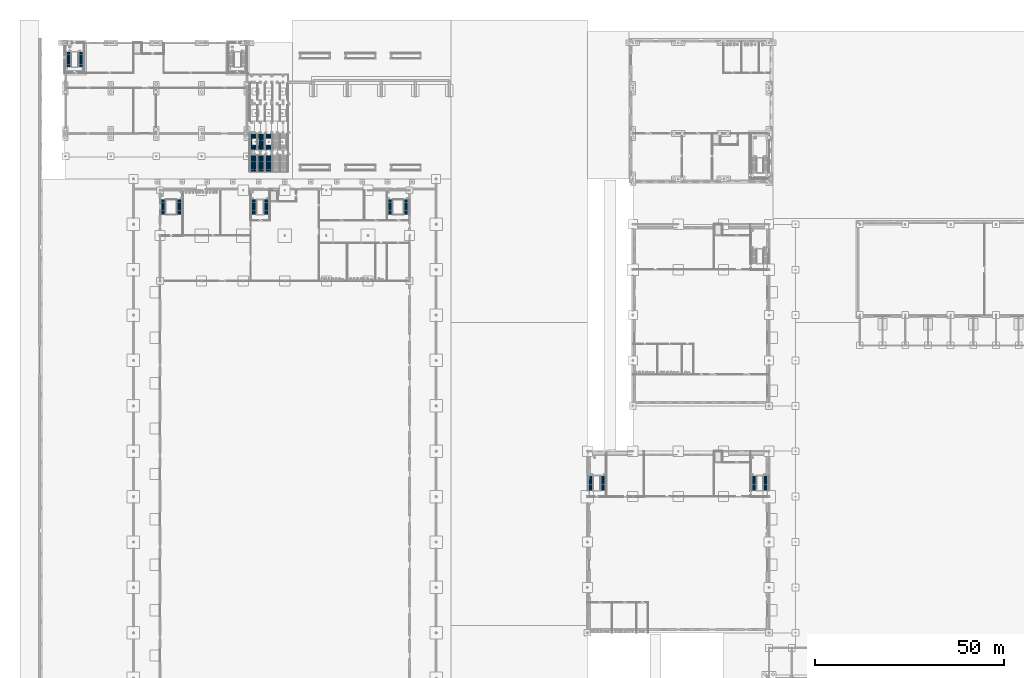
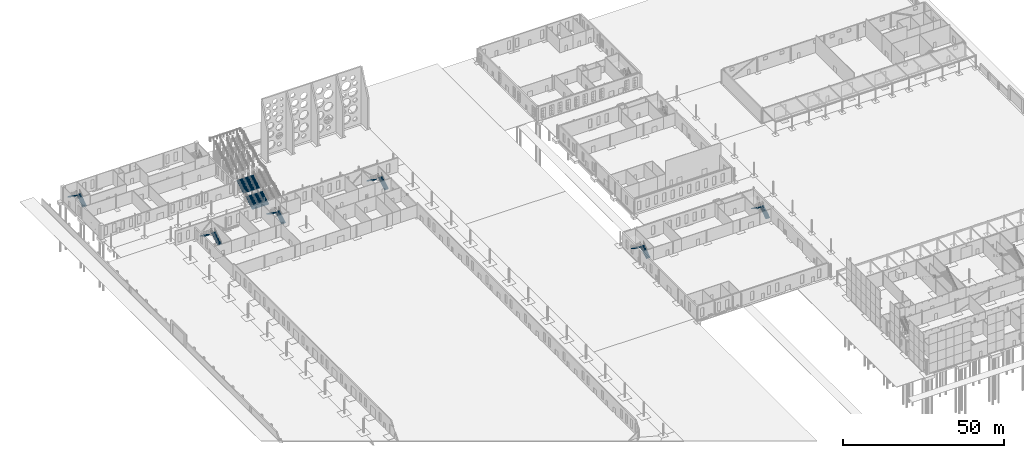
# One storey, part 95 of 132: 20 stair flights, 10 elements without a shape of their own.
"""IFC4 building model written with IfcOpenShell, lengths in metres."""

import ifcopenshell
import ifcopenshell.guid

model = None  # the IFC model being written
_history = None  # IfcOwnerHistory: only IFC2X3 demands one
_inside = {}  # id of a spatial element -> (the spatial element, [elements in it])
_under = {}  # id of a project, library or spatial element -> (it, [spatial elements below it])
_declared = {}  # id of a project -> (the project, [libraries it declares])
_typed = {}  # id of a type object -> (the type object, [elements of that type])
_made_of = {}  # id of a material, layer set ... -> (it, [elements and type objects made of it])


def new_model(schema):
    """Start an empty IFC model of exactly this schema.

    Asked for "IFC4X3", IfcOpenShell would pick the latest addendum, in which some entities
    have other attributes; the version numbers below select the first issue.
    IFC2X3 requires an IfcOwnerHistory on every rooted entity: one is made here for all.
    """
    global model, _history
    if schema == "IFC4X3":
        model = ifcopenshell.file(schema_version=(4, 3, 0, 0))
    else:
        model = ifcopenshell.file(schema=schema)
    _inside.clear()
    _under.clear()
    _declared.clear()
    _typed.clear()
    _made_of.clear()
    _history = None
    if model.schema == "IFC2X3":
        org = make("IfcOrganization", Name="unknown")
        user = make(
            "IfcPersonAndOrganization",
            ThePerson=make("IfcPerson", FamilyName="unknown"),
            TheOrganization=org,
        )
        app = make(
            "IfcApplication",
            ApplicationDeveloper=org,
            Version="unknown",
            ApplicationFullName="unknown",
            ApplicationIdentifier="unknown",
        )
        _history = make(
            "IfcOwnerHistory",
            OwningUser=user,
            OwningApplication=app,
            ChangeAction="ADDED",
            CreationDate=0,
        )
    return model


def make(cls, **values):
    """One entity of the class cls with the attributes given. An attribute that is None is left unset."""
    return model.create_entity(
        cls, **{name: value for name, value in values.items() if value is not None}
    )


def rooted(cls, **values):
    """An entity with a GlobalId (a new one), such as an element, a storey or a relation."""
    return make(cls, GlobalId=ifcopenshell.guid.new(), OwnerHistory=_history, **values)


def si_unit(unit_type, name, prefix=None):
    """IfcSIUnit, for example si_unit("LENGTHUNIT", "METRE", prefix="MILLI")."""
    return make("IfcSIUnit", UnitType=unit_type, Prefix=prefix, Name=name)


def assignment(units):
    """IfcUnitAssignment: the units of a project."""
    return None if units is None else make("IfcUnitAssignment", Units=units)


def point(xyz):
    """IfcCartesianPoint."""
    return None if xyz is None else make("IfcCartesianPoint", Coordinates=xyz)


def direction(xyz):
    """IfcDirection."""
    return None if xyz is None else make("IfcDirection", DirectionRatios=xyz)


def frame(location, z_axis=None, x_axis=None):
    """IfcAxis2Placement3D, a coordinate frame: its origin and axes. An axis left out is left unset."""
    return make(
        "IfcAxis2Placement3D",
        Location=point(location),
        Axis=direction(z_axis),
        RefDirection=direction(x_axis),
    )


def origin():
    """The frame at (0, 0, 0) with its axes left unset."""
    return frame((0.0, 0.0, 0.0))


def place(relative_to, where):
    """IfcLocalPlacement: puts the frame where relative to a parent placement (None: the world)."""
    return make(
        "IfcLocalPlacement", PlacementRelTo=relative_to, RelativePlacement=where
    )


def context(
    kind, dimensions, precision=None, world=None, true_north=None, identifier=None
):
    """IfcGeometricRepresentationContext, for example the 3D "Model" context."""
    return make(
        "IfcGeometricRepresentationContext",
        ContextIdentifier=identifier,
        ContextType=kind,
        CoordinateSpaceDimension=dimensions,
        Precision=precision,
        WorldCoordinateSystem=world,
        TrueNorth=true_north,
    )


def subcontext(parent, identifier, kind, view, scale=None):
    """IfcGeometricRepresentationSubContext, for example "Body" below "Model"."""
    return make(
        "IfcGeometricRepresentationSubContext",
        ContextIdentifier=identifier,
        ContextType=kind,
        ParentContext=parent,
        TargetScale=scale,
        TargetView=view,
    )


def project(units=None, contexts=None):
    """IfcProject with its units and contexts."""
    return rooted(
        "IfcProject",
        Name="project",
        RepresentationContexts=contexts,
        UnitsInContext=assignment(units),
    )


def spatial(cls, under=None, at=None, **own):
    """A site, building, storey or space (cls), placed at a placement, below another one or the project."""
    s = rooted(cls, ObjectPlacement=at, **own)
    if under is not None:
        _under.setdefault(under.id(), (under, []))[1].append(s)
    return s


def polyline(points):
    """IfcPolyline through the points."""
    return make("IfcPolyline", Points=[point(p) for p in points])


def outline(outer, holes=None, kind="AREA"):
    """IfcArbitraryClosedProfileDef: a profile drawn as a closed curve; with holes, ...WithVoids."""
    if holes is None:
        return make("IfcArbitraryClosedProfileDef", ProfileType=kind, OuterCurve=outer)
    return make(
        "IfcArbitraryProfileDefWithVoids",
        ProfileType=kind,
        OuterCurve=outer,
        InnerCurves=holes,
    )


def extrude(swept, where, along, depth):
    """IfcExtrudedAreaSolid: the profile swept, set in the frame where, extruded along a direction by depth."""
    return make(
        "IfcExtrudedAreaSolid",
        SweptArea=swept,
        Position=where,
        ExtrudedDirection=direction(along),
        Depth=depth,
    )


def shape(context_of_items, identifier, shape_type, items):
    """IfcShapeRepresentation: the items that make up one representation, for example the "Body"."""
    return make(
        "IfcShapeRepresentation",
        ContextOfItems=context_of_items,
        RepresentationIdentifier=identifier,
        RepresentationType=shape_type,
        Items=items,
    )


def material(Name=None, Category=None):
    """IfcMaterial."""
    return make("IfcMaterial", Name=Name, Category=Category)


def made_of(thing, what):
    """Note that an element or type object is made of a material, layer set ...; save() writes the relation."""
    if what is not None:
        _made_of.setdefault(what.id(), (what, []))[1].append(thing)
    return thing


def type_object(cls, material=None, **own):
    """A type object (cls), such as IfcWallType, which elements share."""
    return made_of(rooted(cls, **own), material)


def element(
    cls,
    number,
    at=None,
    inside=None,
    cuts=None,
    type_object=None,
    material=None,
    context=None,
    identifier="Body",
    shape_type=None,
    held_by="IfcProductDefinitionShape",
    body=None,
    shapes=None,
    **own,
):
    """One element of the class cls, such as IfcWall. Its Tag is "e" and its number.

    at: its placement. inside: the storey or other place that contains it. cuts: it is an
    opening in that element (IfcRelVoidsElement). A single representation is given by context,
    identifier, shape_type and body (its items); several are given by shapes. held_by: the class
    of the entity that holds the representations. save() writes the other relations.
    """
    e = rooted(cls, Tag="e%d" % number, ObjectPlacement=at, **own)
    if body is not None:
        shapes = [shape(context, identifier, shape_type, body)]
    if shapes is not None:
        e.Representation = make(held_by, Representations=shapes)
    if inside is not None:
        _inside.setdefault(inside.id(), (inside, []))[1].append(e)
    if cuts is not None:
        rooted(
            "IfcRelVoidsElement", RelatingBuildingElement=cuts, RelatedOpeningElement=e
        )
    if type_object is not None:
        _typed.setdefault(type_object.id(), (type_object, []))[1].append(e)
    return made_of(e, material)


def aggregate(whole, parts):
    """IfcRelAggregates: a whole, such as a stair, and the parts it consists of."""
    return rooted("IfcRelAggregates", RelatingObject=whole, RelatedObjects=parts)


def save(model, path):
    """Write the relations noted so far, then the file.

    IfcRelAggregates (storeys below a building ...), IfcRelContainedInSpatialStructure (elements
    in a storey), IfcRelDefinesByType, IfcRelAssociatesMaterial and IfcRelDeclares: one each for
    every whole, place, type object, material and project.
    """
    for whole, parts in _under.values():
        aggregate(whole, parts)
    for where, things in _inside.values():
        rooted(
            "IfcRelContainedInSpatialStructure",
            RelatedElements=things,
            RelatingStructure=where,
        )
    for kind, things in _typed.values():
        rooted("IfcRelDefinesByType", RelatedObjects=things, RelatingType=kind)
    for what, things in _made_of.values():
        rooted("IfcRelAssociatesMaterial", RelatedObjects=things, RelatingMaterial=what)
    for by, libraries in _declared.values():
        rooted("IfcRelDeclares", RelatingContext=by, RelatedDefinitions=libraries)
    model.write(path)


model = new_model("IFC4")

# Units and contexts
model_context = context("Model", 3, precision=1e-05, world=origin(), true_north=direction((0.0, 1.0)))
body_context = subcontext(model_context, "Body", "Model", "MODEL_VIEW")
ifc_project = project(units=[si_unit("LENGTHUNIT", "METRE"), si_unit("AREAUNIT", "SQUARE_METRE"), si_unit("VOLUMEUNIT", "CUBIC_METRE"), si_unit("PLANEANGLEUNIT", "RADIAN"), si_unit("MASSUNIT", "GRAM", prefix="KILO")], contexts=[model_context])

# Site, building, storey
site_placement = place(None, origin())
site = spatial("IfcSite", under=ifc_project, at=site_placement, CompositionType="ELEMENT")
building_placement = place(site_placement, origin())
building = spatial("IfcBuilding", under=site, at=building_placement, Name="Ravi Spectrum Wholesale Market", CompositionType="ELEMENT")
storey_placement = place(building_placement, origin())
storey = spatial("IfcBuildingStorey", under=building, at=storey_placement, Name="L00", CompositionType="ELEMENT", Elevation=0.0)

# Stair, stair flights
ifc_material_1 = material(Name="Concrete C35/45", Category="concrete")
stair_type = type_object("IfcStairType", Name="Stair", PredefinedType="NOTDEFINED", material=ifc_material_1)
stair_1_placement = place(storey_placement, origin())
stair_1 = element("IfcStair", 1, at=stair_1_placement, inside=storey, type_object=stair_type, Name="GW-ST-L00-001", PredefinedType="NOTDEFINED")
ifc_material_2 = material(Name="Concrete C35/45", Category="concrete")
stair_flight_type = type_object("IfcStairFlightType", Name="Stair flight", PredefinedType="STRAIGHT", material=ifc_material_2)
stair_flight_1_placement = place(storey_placement, frame((61.25244140625, 200.0, 0.0), z_axis=(0.0, 0.0, 1.0), x_axis=(0.0, 1.0, 0.0)))
stair_flight_1 = element("IfcStairFlight", 2, at=stair_flight_1_placement, type_object=stair_flight_type, Name="ST-GW1 flight 1", NumberOfRisers=16, NumberOfTreads=15, PredefinedType="STRAIGHT", RiserHeight=0.16875, TreadLength=0.28, context=body_context, shape_type="SweptSolid", body=[
    extrude(outline(polyline([(0.0, 0.0), (0.0, 0.168701171875), (0.280029296875, 0.168701171875), (0.280029296875, 0.33740234375), (0.56005859375, 0.33740234375), (0.56005859375, 0.50634765625), (0.840087890625, 0.50634765625), (0.840087890625, 0.675048828125), (1.1201171875, 0.675048828125), (1.1201171875, 0.84375), (1.39990234375, 0.84375), (1.39990234375, 1.012451171875), (1.679931640625, 1.012451171875), (1.679931640625, 1.18115234375), (1.9599609375, 1.18115234375), (1.9599609375, 1.35009765625), (2.239990234375, 1.35009765625), (2.239990234375, 1.518798828125), (2.52001953125, 1.518798828125), (2.52001953125, 1.6875), (2.800048828125, 1.6875), (2.800048828125, 1.856201171875), (3.080078125, 1.856201171875), (3.080078125, 2.02490234375), (3.360107421875, 2.02490234375), (3.360107421875, 2.19384765625), (3.639892578125, 2.19384765625), (3.639892578125, 2.362548828125), (3.919921875, 2.362548828125), (3.919921875, 2.53125), (4.199951171875, 2.53125), (4.199951171875, 2.699951171875), (4.199951171875, 2.356201171875), (0.29052734375, 0.0), (0.0, 0.0)])), frame((0.0, 0.75244140625, 0.0), z_axis=(0.0, -1.0, 0.0), x_axis=(1.0, 0.0, 0.0)), (0.0, 0.0, 1.0), 1.5048828125),
])
stair_flight_2_placement = place(storey_placement, frame((61.25244140625, 205.699951171875, 2.699951171875), z_axis=(0.0, 0.0, 1.0), x_axis=(0.0, 1.0, 0.0)))
stair_flight_2 = element("IfcStairFlight", 3, at=stair_flight_2_placement, type_object=stair_flight_type, Name="ST-GW1 flight 2", NumberOfRisers=16, NumberOfTreads=15, PredefinedType="STRAIGHT", RiserHeight=0.16875, TreadLength=0.28, context=body_context, shape_type="SweptSolid", body=[
    extrude(outline(polyline([(0.0, 0.0), (0.0, 0.168701171875), (0.280029296875, 0.168701171875), (0.280029296875, 0.33740234375), (0.56005859375, 0.33740234375), (0.56005859375, 0.50634765625), (0.840087890625, 0.50634765625), (0.840087890625, 0.675048828125), (1.1201171875, 0.675048828125), (1.1201171875, 0.84375), (1.39990234375, 0.84375), (1.39990234375, 1.012451171875), (1.679931640625, 1.012451171875), (1.679931640625, 1.18115234375), (1.9599609375, 1.18115234375), (1.9599609375, 1.35009765625), (2.239990234375, 1.35009765625), (2.239990234375, 1.518798828125), (2.52001953125, 1.518798828125), (2.52001953125, 1.6875), (2.800048828125, 1.6875), (2.800048828125, 1.856201171875), (3.080078125, 1.856201171875), (3.080078125, 2.02490234375), (3.360107421875, 2.02490234375), (3.360107421875, 2.19384765625), (3.639892578125, 2.19384765625), (3.639892578125, 2.362548828125), (3.919921875, 2.362548828125), (3.919921875, 2.53125), (4.199951171875, 2.53125), (4.199951171875, 2.699951171875), (4.199951171875, 2.356201171875), (0.29052734375, 0.0), (0.0, 0.0)])), frame((0.0, 0.75244140625, 0.0), z_axis=(0.0, -1.0, 0.0), x_axis=(1.0, 0.0, 0.0)), (0.0, 0.0, 1.0), 1.5048828125),
])
aggregate(stair_1, [stair_flight_1, stair_flight_2])

stair_2_placement = place(storey_placement, origin())
stair_2 = element("IfcStair", 4, at=stair_2_placement, inside=storey, type_object=stair_type, Name="GW-ST-L00-002", PredefinedType="NOTDEFINED")
stair_flight_3_placement = place(storey_placement, frame((62.757568359375, 200.0, 0.0), z_axis=(0.0, 0.0, 1.0), x_axis=(0.0, 1.0, 0.0)))
stair_flight_3 = element("IfcStairFlight", 5, at=stair_flight_3_placement, type_object=stair_flight_type, Name="ST-GW2 flight 1", NumberOfRisers=16, NumberOfTreads=15, PredefinedType="STRAIGHT", RiserHeight=0.16875, TreadLength=0.28, context=body_context, shape_type="SweptSolid", body=[
    extrude(outline(polyline([(0.0, 0.0), (0.0, 0.168701171875), (0.280029296875, 0.168701171875), (0.280029296875, 0.33740234375), (0.56005859375, 0.33740234375), (0.56005859375, 0.50634765625), (0.840087890625, 0.50634765625), (0.840087890625, 0.675048828125), (1.1201171875, 0.675048828125), (1.1201171875, 0.84375), (1.39990234375, 0.84375), (1.39990234375, 1.012451171875), (1.679931640625, 1.012451171875), (1.679931640625, 1.18115234375), (1.9599609375, 1.18115234375), (1.9599609375, 1.35009765625), (2.239990234375, 1.35009765625), (2.239990234375, 1.518798828125), (2.52001953125, 1.518798828125), (2.52001953125, 1.6875), (2.800048828125, 1.6875), (2.800048828125, 1.856201171875), (3.080078125, 1.856201171875), (3.080078125, 2.02490234375), (3.360107421875, 2.02490234375), (3.360107421875, 2.19384765625), (3.639892578125, 2.19384765625), (3.639892578125, 2.362548828125), (3.919921875, 2.362548828125), (3.919921875, 2.53125), (4.199951171875, 2.53125), (4.199951171875, 2.699951171875), (4.199951171875, 2.356201171875), (0.29052734375, 0.0), (0.0, 0.0)])), frame((0.0, 0.75244140625, 0.0), z_axis=(0.0, -1.0, 0.0), x_axis=(1.0, 0.0, 0.0)), (0.0, 0.0, 1.0), 1.5048828125),
])
stair_flight_4_placement = place(storey_placement, frame((62.757568359375, 205.699951171875, 2.699951171875), z_axis=(0.0, 0.0, 1.0), x_axis=(0.0, 1.0, 0.0)))
stair_flight_4 = element("IfcStairFlight", 6, at=stair_flight_4_placement, type_object=stair_flight_type, Name="ST-GW2 flight 2", NumberOfRisers=16, NumberOfTreads=15, PredefinedType="STRAIGHT", RiserHeight=0.16875, TreadLength=0.28, context=body_context, shape_type="SweptSolid", body=[
    extrude(outline(polyline([(0.0, 0.0), (0.0, 0.168701171875), (0.280029296875, 0.168701171875), (0.280029296875, 0.33740234375), (0.56005859375, 0.33740234375), (0.56005859375, 0.50634765625), (0.840087890625, 0.50634765625), (0.840087890625, 0.675048828125), (1.1201171875, 0.675048828125), (1.1201171875, 0.84375), (1.39990234375, 0.84375), (1.39990234375, 1.012451171875), (1.679931640625, 1.012451171875), (1.679931640625, 1.18115234375), (1.9599609375, 1.18115234375), (1.9599609375, 1.35009765625), (2.239990234375, 1.35009765625), (2.239990234375, 1.518798828125), (2.52001953125, 1.518798828125), (2.52001953125, 1.6875), (2.800048828125, 1.6875), (2.800048828125, 1.856201171875), (3.080078125, 1.856201171875), (3.080078125, 2.02490234375), (3.360107421875, 2.02490234375), (3.360107421875, 2.19384765625), (3.639892578125, 2.19384765625), (3.639892578125, 2.362548828125), (3.919921875, 2.362548828125), (3.919921875, 2.53125), (4.199951171875, 2.53125), (4.199951171875, 2.699951171875), (4.199951171875, 2.356201171875), (0.29052734375, 0.0), (0.0, 0.0)])), frame((0.0, 0.75244140625, 0.0), z_axis=(0.0, -1.0, 0.0), x_axis=(1.0, 0.0, 0.0)), (0.0, 0.0, 1.0), 1.5048828125),
])
aggregate(stair_2, [stair_flight_3, stair_flight_4])

stair_3_placement = place(storey_placement, origin())
stair_3 = element("IfcStair", 7, at=stair_3_placement, inside=storey, type_object=stair_type, Name="GW-ST-L00-003", PredefinedType="NOTDEFINED")
stair_flight_5_placement = place(storey_placement, frame((64.262451171875, 200.0, 0.0), z_axis=(0.0, 0.0, 1.0), x_axis=(0.0, 1.0, 0.0)))
stair_flight_5 = element("IfcStairFlight", 8, at=stair_flight_5_placement, type_object=stair_flight_type, Name="ST-GW3 flight 1", NumberOfRisers=16, NumberOfTreads=15, PredefinedType="STRAIGHT", RiserHeight=0.16875, TreadLength=0.28, context=body_context, shape_type="SweptSolid", body=[
    extrude(outline(polyline([(0.0, 0.0), (0.0, 0.168701171875), (0.280029296875, 0.168701171875), (0.280029296875, 0.33740234375), (0.56005859375, 0.33740234375), (0.56005859375, 0.50634765625), (0.840087890625, 0.50634765625), (0.840087890625, 0.675048828125), (1.1201171875, 0.675048828125), (1.1201171875, 0.84375), (1.39990234375, 0.84375), (1.39990234375, 1.012451171875), (1.679931640625, 1.012451171875), (1.679931640625, 1.18115234375), (1.9599609375, 1.18115234375), (1.9599609375, 1.35009765625), (2.239990234375, 1.35009765625), (2.239990234375, 1.518798828125), (2.52001953125, 1.518798828125), (2.52001953125, 1.6875), (2.800048828125, 1.6875), (2.800048828125, 1.856201171875), (3.080078125, 1.856201171875), (3.080078125, 2.02490234375), (3.360107421875, 2.02490234375), (3.360107421875, 2.19384765625), (3.639892578125, 2.19384765625), (3.639892578125, 2.362548828125), (3.919921875, 2.362548828125), (3.919921875, 2.53125), (4.199951171875, 2.53125), (4.199951171875, 2.699951171875), (4.199951171875, 2.356201171875), (0.29052734375, 0.0), (0.0, 0.0)])), frame((0.0, 0.75244140625, 0.0), z_axis=(0.0, -1.0, 0.0), x_axis=(1.0, 0.0, 0.0)), (0.0, 0.0, 1.0), 1.5048828125),
])
stair_flight_6_placement = place(storey_placement, frame((64.262451171875, 205.699951171875, 2.699951171875), z_axis=(0.0, 0.0, 1.0), x_axis=(0.0, 1.0, 0.0)))
stair_flight_6 = element("IfcStairFlight", 9, at=stair_flight_6_placement, type_object=stair_flight_type, Name="ST-GW3 flight 2", NumberOfRisers=16, NumberOfTreads=15, PredefinedType="STRAIGHT", RiserHeight=0.16875, TreadLength=0.28, context=body_context, shape_type="SweptSolid", body=[
    extrude(outline(polyline([(0.0, 0.0), (0.0, 0.168701171875), (0.280029296875, 0.168701171875), (0.280029296875, 0.33740234375), (0.56005859375, 0.33740234375), (0.56005859375, 0.50634765625), (0.840087890625, 0.50634765625), (0.840087890625, 0.675048828125), (1.1201171875, 0.675048828125), (1.1201171875, 0.84375), (1.39990234375, 0.84375), (1.39990234375, 1.012451171875), (1.679931640625, 1.012451171875), (1.679931640625, 1.18115234375), (1.9599609375, 1.18115234375), (1.9599609375, 1.35009765625), (2.239990234375, 1.35009765625), (2.239990234375, 1.518798828125), (2.52001953125, 1.518798828125), (2.52001953125, 1.6875), (2.800048828125, 1.6875), (2.800048828125, 1.856201171875), (3.080078125, 1.856201171875), (3.080078125, 2.02490234375), (3.360107421875, 2.02490234375), (3.360107421875, 2.19384765625), (3.639892578125, 2.19384765625), (3.639892578125, 2.362548828125), (3.919921875, 2.362548828125), (3.919921875, 2.53125), (4.199951171875, 2.53125), (4.199951171875, 2.699951171875), (4.199951171875, 2.356201171875), (0.29052734375, 0.0), (0.0, 0.0)])), frame((0.0, 0.75244140625, 0.0), z_axis=(0.0, -1.0, 0.0), x_axis=(1.0, 0.0, 0.0)), (0.0, 0.0, 1.0), 1.5048828125),
])
aggregate(stair_3, [stair_flight_5, stair_flight_6])

stair_4_placement = place(storey_placement, origin())
stair_4 = element("IfcStair", 10, at=stair_4_placement, inside=storey, type_object=stair_type, Name="GW-ST-L00-004", PredefinedType="NOTDEFINED")
stair_flight_7_placement = place(storey_placement, frame((65.767578125, 200.0, 0.0), z_axis=(0.0, 0.0, 1.0), x_axis=(0.0, 1.0, 0.0)))
stair_flight_7 = element("IfcStairFlight", 11, at=stair_flight_7_placement, type_object=stair_flight_type, Name="ST-GW4 flight 1", NumberOfRisers=16, NumberOfTreads=15, PredefinedType="STRAIGHT", RiserHeight=0.16875, TreadLength=0.28, context=body_context, shape_type="SweptSolid", body=[
    extrude(outline(polyline([(0.0, 0.0), (0.0, 0.168701171875), (0.280029296875, 0.168701171875), (0.280029296875, 0.33740234375), (0.56005859375, 0.33740234375), (0.56005859375, 0.50634765625), (0.840087890625, 0.50634765625), (0.840087890625, 0.675048828125), (1.1201171875, 0.675048828125), (1.1201171875, 0.84375), (1.39990234375, 0.84375), (1.39990234375, 1.012451171875), (1.679931640625, 1.012451171875), (1.679931640625, 1.18115234375), (1.9599609375, 1.18115234375), (1.9599609375, 1.35009765625), (2.239990234375, 1.35009765625), (2.239990234375, 1.518798828125), (2.52001953125, 1.518798828125), (2.52001953125, 1.6875), (2.800048828125, 1.6875), (2.800048828125, 1.856201171875), (3.080078125, 1.856201171875), (3.080078125, 2.02490234375), (3.360107421875, 2.02490234375), (3.360107421875, 2.19384765625), (3.639892578125, 2.19384765625), (3.639892578125, 2.362548828125), (3.919921875, 2.362548828125), (3.919921875, 2.53125), (4.199951171875, 2.53125), (4.199951171875, 2.699951171875), (4.199951171875, 2.356201171875), (0.29052734375, 0.0), (0.0, 0.0)])), frame((0.0, 0.75244140625, 0.0), z_axis=(0.0, -1.0, 0.0), x_axis=(1.0, 0.0, 0.0)), (0.0, 0.0, 1.0), 1.5048828125),
])
stair_flight_8_placement = place(storey_placement, frame((65.767578125, 205.699951171875, 2.699951171875), z_axis=(0.0, 0.0, 1.0), x_axis=(0.0, 1.0, 0.0)))
stair_flight_8 = element("IfcStairFlight", 12, at=stair_flight_8_placement, type_object=stair_flight_type, Name="ST-GW4 flight 2", NumberOfRisers=16, NumberOfTreads=15, PredefinedType="STRAIGHT", RiserHeight=0.16875, TreadLength=0.28, context=body_context, shape_type="SweptSolid", body=[
    extrude(outline(polyline([(0.0, 0.0), (0.0, 0.168701171875), (0.280029296875, 0.168701171875), (0.280029296875, 0.33740234375), (0.56005859375, 0.33740234375), (0.56005859375, 0.50634765625), (0.840087890625, 0.50634765625), (0.840087890625, 0.675048828125), (1.1201171875, 0.675048828125), (1.1201171875, 0.84375), (1.39990234375, 0.84375), (1.39990234375, 1.012451171875), (1.679931640625, 1.012451171875), (1.679931640625, 1.18115234375), (1.9599609375, 1.18115234375), (1.9599609375, 1.35009765625), (2.239990234375, 1.35009765625), (2.239990234375, 1.518798828125), (2.52001953125, 1.518798828125), (2.52001953125, 1.6875), (2.800048828125, 1.6875), (2.800048828125, 1.856201171875), (3.080078125, 1.856201171875), (3.080078125, 2.02490234375), (3.360107421875, 2.02490234375), (3.360107421875, 2.19384765625), (3.639892578125, 2.19384765625), (3.639892578125, 2.362548828125), (3.919921875, 2.362548828125), (3.919921875, 2.53125), (4.199951171875, 2.53125), (4.199951171875, 2.699951171875), (4.199951171875, 2.356201171875), (0.29052734375, 0.0), (0.0, 0.0)])), frame((0.0, 0.75244140625, 0.0), z_axis=(0.0, -1.0, 0.0), x_axis=(1.0, 0.0, 0.0)), (0.0, 0.0, 1.0), 1.5048828125),
])
aggregate(stair_4, [stair_flight_7, stair_flight_8])

stair_5_placement = place(storey_placement, origin())
stair_5 = element("IfcStair", 13, at=stair_5_placement, inside=storey, type_object=stair_type, Name="L00 S-H1-1", PredefinedType="HALF_TURN_STAIR")
stair_flight_9_placement = place(storey_placement, frame((42.14990234375, 188.60009765625, 0.0), z_axis=(0.0, 0.0, 1.0), x_axis=(0.0, 1.0, 0.0)))
stair_flight_9 = element("IfcStairFlight", 14, at=stair_flight_9_placement, type_object=stair_flight_type, Name="S-H1-1 flight 1", NumberOfRisers=15, NumberOfTreads=14, PredefinedType="STRAIGHT", RiserHeight=0.18, TreadLength=0.28, context=body_context, shape_type="SweptSolid", body=[
    extrude(outline(polyline([(0.0, 0.0), (0.0, 0.179931640625), (0.280029296875, 0.179931640625), (0.280029296875, 0.360107421875), (0.56005859375, 0.360107421875), (0.56005859375, 0.5400390625), (0.840087890625, 0.5400390625), (0.840087890625, 0.719970703125), (1.1201171875, 0.719970703125), (1.1201171875, 0.89990234375), (1.39990234375, 0.89990234375), (1.39990234375, 1.080078125), (1.679931640625, 1.080078125), (1.679931640625, 1.260009765625), (1.9599609375, 1.260009765625), (1.9599609375, 1.43994140625), (2.239990234375, 1.43994140625), (2.239990234375, 1.6201171875), (2.52001953125, 1.6201171875), (2.52001953125, 1.800048828125), (2.800048828125, 1.800048828125), (2.800048828125, 1.97998046875), (3.080078125, 1.97998046875), (3.080078125, 2.159912109375), (3.360107421875, 2.159912109375), (3.360107421875, 2.340087890625), (3.639892578125, 2.340087890625), (3.639892578125, 2.52001953125), (3.919921875, 2.52001953125), (3.919921875, 2.699951171875), (3.919921875, 2.341796875), (0.277099609375, 0.0), (0.0, 0.0)])), frame((0.0, 0.75, 0.0), z_axis=(0.0, -1.0, 0.0), x_axis=(1.0, 0.0, 0.0)), (0.0, 0.0, 1.0), 1.5),
])
stair_flight_10_placement = place(storey_placement, frame((37.85009765625, 192.52001953125, 2.699951171875), z_axis=(0.0, 0.0, 1.0), x_axis=(0.0, -1.0, 0.0)))
stair_flight_10 = element("IfcStairFlight", 15, at=stair_flight_10_placement, type_object=stair_flight_type, Name="S-H1-1 flight 2", NumberOfRisers=15, NumberOfTreads=14, PredefinedType="STRAIGHT", RiserHeight=0.18, TreadLength=0.28, context=body_context, shape_type="SweptSolid", body=[
    extrude(outline(polyline([(0.0, 0.0), (0.0, 0.179931640625), (0.280029296875, 0.179931640625), (0.280029296875, 0.360107421875), (0.56005859375, 0.360107421875), (0.56005859375, 0.5400390625), (0.840087890625, 0.5400390625), (0.840087890625, 0.719970703125), (1.1201171875, 0.719970703125), (1.1201171875, 0.89990234375), (1.39990234375, 0.89990234375), (1.39990234375, 1.080078125), (1.679931640625, 1.080078125), (1.679931640625, 1.260009765625), (1.9599609375, 1.260009765625), (1.9599609375, 1.43994140625), (2.239990234375, 1.43994140625), (2.239990234375, 1.6201171875), (2.52001953125, 1.6201171875), (2.52001953125, 1.800048828125), (2.800048828125, 1.800048828125), (2.800048828125, 1.97998046875), (3.080078125, 1.97998046875), (3.080078125, 2.159912109375), (3.360107421875, 2.159912109375), (3.360107421875, 2.340087890625), (3.639892578125, 2.340087890625), (3.639892578125, 2.52001953125), (3.919921875, 2.52001953125), (3.919921875, 2.699951171875), (3.919921875, 2.341796875), (0.277099609375, 0.0), (0.0, 0.0)])), frame((0.0, 0.75, 0.0), z_axis=(0.0, -1.0, 0.0), x_axis=(1.0, 0.0, 0.0)), (0.0, 0.0, 1.0), 1.5),
])
aggregate(stair_5, [stair_flight_9, stair_flight_10])

stair_6_placement = place(storey_placement, origin())
stair_6 = element("IfcStair", 16, at=stair_6_placement, inside=storey, type_object=stair_type, Name="L00 S-H1-2", PredefinedType="HALF_TURN_STAIR")
stair_flight_11_placement = place(storey_placement, frame((102.14990234375, 188.60009765625, 0.0), z_axis=(0.0, 0.0, 1.0), x_axis=(0.0, 1.0, 0.0)))
stair_flight_11 = element("IfcStairFlight", 17, at=stair_flight_11_placement, type_object=stair_flight_type, Name="S-H1-2 flight 1", NumberOfRisers=15, NumberOfTreads=14, PredefinedType="STRAIGHT", RiserHeight=0.18, TreadLength=0.28, context=body_context, shape_type="SweptSolid", body=[
    extrude(outline(polyline([(0.0, 0.0), (0.0, 0.179931640625), (0.280029296875, 0.179931640625), (0.280029296875, 0.360107421875), (0.56005859375, 0.360107421875), (0.56005859375, 0.5400390625), (0.840087890625, 0.5400390625), (0.840087890625, 0.719970703125), (1.1201171875, 0.719970703125), (1.1201171875, 0.89990234375), (1.39990234375, 0.89990234375), (1.39990234375, 1.080078125), (1.679931640625, 1.080078125), (1.679931640625, 1.260009765625), (1.9599609375, 1.260009765625), (1.9599609375, 1.43994140625), (2.239990234375, 1.43994140625), (2.239990234375, 1.6201171875), (2.52001953125, 1.6201171875), (2.52001953125, 1.800048828125), (2.800048828125, 1.800048828125), (2.800048828125, 1.97998046875), (3.080078125, 1.97998046875), (3.080078125, 2.159912109375), (3.360107421875, 2.159912109375), (3.360107421875, 2.340087890625), (3.639892578125, 2.340087890625), (3.639892578125, 2.52001953125), (3.919921875, 2.52001953125), (3.919921875, 2.699951171875), (3.919921875, 2.341796875), (0.277099609375, 0.0), (0.0, 0.0)])), frame((0.0, 0.75, 0.0), z_axis=(0.0, -1.0, 0.0), x_axis=(1.0, 0.0, 0.0)), (0.0, 0.0, 1.0), 1.5),
])
stair_flight_12_placement = place(storey_placement, frame((97.85009765625, 192.52001953125, 2.699951171875), z_axis=(0.0, 0.0, 1.0), x_axis=(0.0, -1.0, 0.0)))
stair_flight_12 = element("IfcStairFlight", 18, at=stair_flight_12_placement, type_object=stair_flight_type, Name="S-H1-2 flight 2", NumberOfRisers=15, NumberOfTreads=14, PredefinedType="STRAIGHT", RiserHeight=0.18, TreadLength=0.28, context=body_context, shape_type="SweptSolid", body=[
    extrude(outline(polyline([(0.0, 0.0), (0.0, 0.179931640625), (0.280029296875, 0.179931640625), (0.280029296875, 0.360107421875), (0.56005859375, 0.360107421875), (0.56005859375, 0.5400390625), (0.840087890625, 0.5400390625), (0.840087890625, 0.719970703125), (1.1201171875, 0.719970703125), (1.1201171875, 0.89990234375), (1.39990234375, 0.89990234375), (1.39990234375, 1.080078125), (1.679931640625, 1.080078125), (1.679931640625, 1.260009765625), (1.9599609375, 1.260009765625), (1.9599609375, 1.43994140625), (2.239990234375, 1.43994140625), (2.239990234375, 1.6201171875), (2.52001953125, 1.6201171875), (2.52001953125, 1.800048828125), (2.800048828125, 1.800048828125), (2.800048828125, 1.97998046875), (3.080078125, 1.97998046875), (3.080078125, 2.159912109375), (3.360107421875, 2.159912109375), (3.360107421875, 2.340087890625), (3.639892578125, 2.340087890625), (3.639892578125, 2.52001953125), (3.919921875, 2.52001953125), (3.919921875, 2.699951171875), (3.919921875, 2.341796875), (0.277099609375, 0.0), (0.0, 0.0)])), frame((0.0, 0.75, 0.0), z_axis=(0.0, -1.0, 0.0), x_axis=(1.0, 0.0, 0.0)), (0.0, 0.0, 1.0), 1.5),
])
aggregate(stair_6, [stair_flight_11, stair_flight_12])

stair_7_placement = place(storey_placement, origin())
stair_7 = element("IfcStair", 19, at=stair_7_placement, inside=storey, type_object=stair_type, Name="L00 S-H1-3", PredefinedType="HALF_TURN_STAIR")
stair_flight_13_placement = place(storey_placement, frame((65.14990234375, 188.60009765625, 0.0), z_axis=(0.0, 0.0, 1.0), x_axis=(0.0, 1.0, 0.0)))
stair_flight_13 = element("IfcStairFlight", 20, at=stair_flight_13_placement, type_object=stair_flight_type, Name="S-H1-3 flight 1", NumberOfRisers=15, NumberOfTreads=14, PredefinedType="STRAIGHT", RiserHeight=0.18, TreadLength=0.28, context=body_context, shape_type="SweptSolid", body=[
    extrude(outline(polyline([(0.0, 0.0), (0.0, 0.179931640625), (0.280029296875, 0.179931640625), (0.280029296875, 0.360107421875), (0.56005859375, 0.360107421875), (0.56005859375, 0.5400390625), (0.840087890625, 0.5400390625), (0.840087890625, 0.719970703125), (1.1201171875, 0.719970703125), (1.1201171875, 0.89990234375), (1.39990234375, 0.89990234375), (1.39990234375, 1.080078125), (1.679931640625, 1.080078125), (1.679931640625, 1.260009765625), (1.9599609375, 1.260009765625), (1.9599609375, 1.43994140625), (2.239990234375, 1.43994140625), (2.239990234375, 1.6201171875), (2.52001953125, 1.6201171875), (2.52001953125, 1.800048828125), (2.800048828125, 1.800048828125), (2.800048828125, 1.97998046875), (3.080078125, 1.97998046875), (3.080078125, 2.159912109375), (3.360107421875, 2.159912109375), (3.360107421875, 2.340087890625), (3.639892578125, 2.340087890625), (3.639892578125, 2.52001953125), (3.919921875, 2.52001953125), (3.919921875, 2.699951171875), (3.919921875, 2.341796875), (0.277099609375, 0.0), (0.0, 0.0)])), frame((0.0, 0.75, 0.0), z_axis=(0.0, -1.0, 0.0), x_axis=(1.0, 0.0, 0.0)), (0.0, 0.0, 1.0), 1.5),
])
stair_flight_14_placement = place(storey_placement, frame((61.85009765625, 192.52001953125, 2.699951171875), z_axis=(0.0, 0.0, 1.0), x_axis=(0.0, -1.0, 0.0)))
stair_flight_14 = element("IfcStairFlight", 21, at=stair_flight_14_placement, type_object=stair_flight_type, Name="S-H1-3 flight 2", NumberOfRisers=15, NumberOfTreads=14, PredefinedType="STRAIGHT", RiserHeight=0.18, TreadLength=0.28, context=body_context, shape_type="SweptSolid", body=[
    extrude(outline(polyline([(0.0, 0.0), (0.0, 0.179931640625), (0.280029296875, 0.179931640625), (0.280029296875, 0.360107421875), (0.56005859375, 0.360107421875), (0.56005859375, 0.5400390625), (0.840087890625, 0.5400390625), (0.840087890625, 0.719970703125), (1.1201171875, 0.719970703125), (1.1201171875, 0.89990234375), (1.39990234375, 0.89990234375), (1.39990234375, 1.080078125), (1.679931640625, 1.080078125), (1.679931640625, 1.260009765625), (1.9599609375, 1.260009765625), (1.9599609375, 1.43994140625), (2.239990234375, 1.43994140625), (2.239990234375, 1.6201171875), (2.52001953125, 1.6201171875), (2.52001953125, 1.800048828125), (2.800048828125, 1.800048828125), (2.800048828125, 1.97998046875), (3.080078125, 1.97998046875), (3.080078125, 2.159912109375), (3.360107421875, 2.159912109375), (3.360107421875, 2.340087890625), (3.639892578125, 2.340087890625), (3.639892578125, 2.52001953125), (3.919921875, 2.52001953125), (3.919921875, 2.699951171875), (3.919921875, 2.341796875), (0.277099609375, 0.0), (0.0, 0.0)])), frame((0.0, 0.75, 0.0), z_axis=(0.0, -1.0, 0.0), x_axis=(1.0, 0.0, 0.0)), (0.0, 0.0, 1.0), 1.5),
])
aggregate(stair_7, [stair_flight_13, stair_flight_14])

stair_8_placement = place(storey_placement, origin())
stair_8 = element("IfcStair", 22, at=stair_8_placement, inside=storey, type_object=stair_type, Name="L00 S-H2-1", PredefinedType="HALF_TURN_STAIR")
stair_flight_15_placement = place(storey_placement, frame((197.14990234375, 115.60009765625, 0.0), z_axis=(0.0, 0.0, 1.0), x_axis=(0.0, 1.0, 0.0)))
stair_flight_15 = element("IfcStairFlight", 23, at=stair_flight_15_placement, type_object=stair_flight_type, Name="S-H2-1 flight 1", NumberOfRisers=15, NumberOfTreads=14, PredefinedType="STRAIGHT", RiserHeight=0.18, TreadLength=0.28, context=body_context, shape_type="SweptSolid", body=[
    extrude(outline(polyline([(0.0, 0.0), (0.0, 0.179931640625), (0.280029296875, 0.179931640625), (0.280029296875, 0.360107421875), (0.56005859375, 0.360107421875), (0.56005859375, 0.5400390625), (0.840087890625, 0.5400390625), (0.840087890625, 0.719970703125), (1.1201171875, 0.719970703125), (1.1201171875, 0.89990234375), (1.39990234375, 0.89990234375), (1.39990234375, 1.080078125), (1.679931640625, 1.080078125), (1.679931640625, 1.260009765625), (1.9599609375, 1.260009765625), (1.9599609375, 1.43994140625), (2.239990234375, 1.43994140625), (2.239990234375, 1.6201171875), (2.52001953125, 1.6201171875), (2.52001953125, 1.800048828125), (2.800048828125, 1.800048828125), (2.800048828125, 1.97998046875), (3.080078125, 1.97998046875), (3.080078125, 2.159912109375), (3.360107421875, 2.159912109375), (3.360107421875, 2.340087890625), (3.639892578125, 2.340087890625), (3.639892578125, 2.52001953125), (3.919921875, 2.52001953125), (3.919921875, 2.699951171875), (3.919921875, 2.341796875), (0.277099609375, 0.0), (0.0, 0.0)])), frame((0.0, 0.75, 0.0), z_axis=(0.0, -1.0, 0.0), x_axis=(1.0, 0.0, 0.0)), (0.0, 0.0, 1.0), 1.5),
])
stair_flight_16_placement = place(storey_placement, frame((194.050048828125, 119.52001953125, 2.699951171875), z_axis=(0.0, 0.0, 1.0), x_axis=(0.0, -1.0, 0.0)))
stair_flight_16 = element("IfcStairFlight", 24, at=stair_flight_16_placement, type_object=stair_flight_type, Name="S-H2-1 flight 2", NumberOfRisers=15, NumberOfTreads=14, PredefinedType="STRAIGHT", RiserHeight=0.18, TreadLength=0.28, context=body_context, shape_type="SweptSolid", body=[
    extrude(outline(polyline([(0.0, 0.0), (0.0, 0.179931640625), (0.280029296875, 0.179931640625), (0.280029296875, 0.360107421875), (0.56005859375, 0.360107421875), (0.56005859375, 0.5400390625), (0.840087890625, 0.5400390625), (0.840087890625, 0.719970703125), (1.1201171875, 0.719970703125), (1.1201171875, 0.89990234375), (1.39990234375, 0.89990234375), (1.39990234375, 1.080078125), (1.679931640625, 1.080078125), (1.679931640625, 1.260009765625), (1.9599609375, 1.260009765625), (1.9599609375, 1.43994140625), (2.239990234375, 1.43994140625), (2.239990234375, 1.6201171875), (2.52001953125, 1.6201171875), (2.52001953125, 1.800048828125), (2.800048828125, 1.800048828125), (2.800048828125, 1.97998046875), (3.080078125, 1.97998046875), (3.080078125, 2.159912109375), (3.360107421875, 2.159912109375), (3.360107421875, 2.340087890625), (3.639892578125, 2.340087890625), (3.639892578125, 2.52001953125), (3.919921875, 2.52001953125), (3.919921875, 2.699951171875), (3.919921875, 2.341796875), (0.277099609375, 0.0), (0.0, 0.0)])), frame((0.0, 0.75, 0.0), z_axis=(0.0, -1.0, 0.0), x_axis=(1.0, 0.0, 0.0)), (0.0, 0.0, 1.0), 1.5),
])
aggregate(stair_8, [stair_flight_15, stair_flight_16])

stair_9_placement = place(storey_placement, origin())
stair_9 = element("IfcStair", 25, at=stair_9_placement, inside=storey, type_object=stair_type, Name="L00 S-H2-2", PredefinedType="HALF_TURN_STAIR")
stair_flight_17_placement = place(storey_placement, frame((154.14990234375, 115.60009765625, 0.0), z_axis=(0.0, 0.0, 1.0), x_axis=(0.0, 1.0, 0.0)))
stair_flight_17 = element("IfcStairFlight", 26, at=stair_flight_17_placement, type_object=stair_flight_type, Name="S-H2-2 flight 1", NumberOfRisers=15, NumberOfTreads=14, PredefinedType="STRAIGHT", RiserHeight=0.18, TreadLength=0.28, context=body_context, shape_type="SweptSolid", body=[
    extrude(outline(polyline([(0.0, 0.0), (0.0, 0.179931640625), (0.280029296875, 0.179931640625), (0.280029296875, 0.360107421875), (0.56005859375, 0.360107421875), (0.56005859375, 0.5400390625), (0.840087890625, 0.5400390625), (0.840087890625, 0.719970703125), (1.1201171875, 0.719970703125), (1.1201171875, 0.89990234375), (1.39990234375, 0.89990234375), (1.39990234375, 1.080078125), (1.679931640625, 1.080078125), (1.679931640625, 1.260009765625), (1.9599609375, 1.260009765625), (1.9599609375, 1.43994140625), (2.239990234375, 1.43994140625), (2.239990234375, 1.6201171875), (2.52001953125, 1.6201171875), (2.52001953125, 1.800048828125), (2.800048828125, 1.800048828125), (2.800048828125, 1.97998046875), (3.080078125, 1.97998046875), (3.080078125, 2.159912109375), (3.360107421875, 2.159912109375), (3.360107421875, 2.340087890625), (3.639892578125, 2.340087890625), (3.639892578125, 2.52001953125), (3.919921875, 2.52001953125), (3.919921875, 2.699951171875), (3.919921875, 2.341796875), (0.277099609375, 0.0), (0.0, 0.0)])), frame((0.0, 0.75, 0.0), z_axis=(0.0, -1.0, 0.0), x_axis=(1.0, 0.0, 0.0)), (0.0, 0.0, 1.0), 1.5),
])
stair_flight_18_placement = place(storey_placement, frame((150.85009765625, 119.52001953125, 2.699951171875), z_axis=(0.0, 0.0, 1.0), x_axis=(0.0, -1.0, 0.0)))
stair_flight_18 = element("IfcStairFlight", 27, at=stair_flight_18_placement, type_object=stair_flight_type, Name="S-H2-2 flight 2", NumberOfRisers=15, NumberOfTreads=14, PredefinedType="STRAIGHT", RiserHeight=0.18, TreadLength=0.28, context=body_context, shape_type="SweptSolid", body=[
    extrude(outline(polyline([(0.0, 0.0), (0.0, 0.179931640625), (0.280029296875, 0.179931640625), (0.280029296875, 0.360107421875), (0.56005859375, 0.360107421875), (0.56005859375, 0.5400390625), (0.840087890625, 0.5400390625), (0.840087890625, 0.719970703125), (1.1201171875, 0.719970703125), (1.1201171875, 0.89990234375), (1.39990234375, 0.89990234375), (1.39990234375, 1.080078125), (1.679931640625, 1.080078125), (1.679931640625, 1.260009765625), (1.9599609375, 1.260009765625), (1.9599609375, 1.43994140625), (2.239990234375, 1.43994140625), (2.239990234375, 1.6201171875), (2.52001953125, 1.6201171875), (2.52001953125, 1.800048828125), (2.800048828125, 1.800048828125), (2.800048828125, 1.97998046875), (3.080078125, 1.97998046875), (3.080078125, 2.159912109375), (3.360107421875, 2.159912109375), (3.360107421875, 2.340087890625), (3.639892578125, 2.340087890625), (3.639892578125, 2.52001953125), (3.919921875, 2.52001953125), (3.919921875, 2.699951171875), (3.919921875, 2.341796875), (0.277099609375, 0.0), (0.0, 0.0)])), frame((0.0, 0.75, 0.0), z_axis=(0.0, -1.0, 0.0), x_axis=(1.0, 0.0, 0.0)), (0.0, 0.0, 1.0), 1.5),
])
aggregate(stair_9, [stair_flight_17, stair_flight_18])

stair_10_placement = place(storey_placement, origin())
stair_10 = element("IfcStair", 28, at=stair_10_placement, inside=storey, type_object=stair_type, Name="L00 S-OF-1", PredefinedType="HALF_TURN_STAIR")
stair_flight_19_placement = place(storey_placement, frame((16.14990234375, 227.60009765625, 0.0), z_axis=(0.0, 0.0, 1.0), x_axis=(0.0, 1.0, 0.0)))
stair_flight_19 = element("IfcStairFlight", 29, at=stair_flight_19_placement, type_object=stair_flight_type, Name="S-OF-1 flight 1", NumberOfRisers=15, NumberOfTreads=14, PredefinedType="STRAIGHT", RiserHeight=0.18, TreadLength=0.28, context=body_context, shape_type="SweptSolid", body=[
    extrude(outline(polyline([(0.0, 0.0), (0.0, 0.179931640625), (0.280029296875, 0.179931640625), (0.280029296875, 0.360107421875), (0.56005859375, 0.360107421875), (0.56005859375, 0.5400390625), (0.840087890625, 0.5400390625), (0.840087890625, 0.719970703125), (1.1201171875, 0.719970703125), (1.1201171875, 0.89990234375), (1.39990234375, 0.89990234375), (1.39990234375, 1.080078125), (1.679931640625, 1.080078125), (1.679931640625, 1.260009765625), (1.9599609375, 1.260009765625), (1.9599609375, 1.43994140625), (2.239990234375, 1.43994140625), (2.239990234375, 1.6201171875), (2.52001953125, 1.6201171875), (2.52001953125, 1.800048828125), (2.800048828125, 1.800048828125), (2.800048828125, 1.97998046875), (3.080078125, 1.97998046875), (3.080078125, 2.159912109375), (3.360107421875, 2.159912109375), (3.360107421875, 2.340087890625), (3.639892578125, 2.340087890625), (3.639892578125, 2.52001953125), (3.919921875, 2.52001953125), (3.919921875, 2.699951171875), (3.919921875, 2.341796875), (0.277099609375, 0.0), (0.0, 0.0)])), frame((0.0, 0.75, 0.0), z_axis=(0.0, -1.0, 0.0), x_axis=(1.0, 0.0, 0.0)), (0.0, 0.0, 1.0), 1.5),
])
stair_flight_20_placement = place(storey_placement, frame((12.85009765625, 231.52001953125, 2.699951171875), z_axis=(0.0, 0.0, 1.0), x_axis=(0.0, -1.0, 0.0)))
stair_flight_20 = element("IfcStairFlight", 30, at=stair_flight_20_placement, type_object=stair_flight_type, Name="S-OF-1 flight 2", NumberOfRisers=15, NumberOfTreads=14, PredefinedType="STRAIGHT", RiserHeight=0.18, TreadLength=0.28, context=body_context, shape_type="SweptSolid", body=[
    extrude(outline(polyline([(0.0, 0.0), (0.0, 0.179931640625), (0.280029296875, 0.179931640625), (0.280029296875, 0.360107421875), (0.56005859375, 0.360107421875), (0.56005859375, 0.5400390625), (0.840087890625, 0.5400390625), (0.840087890625, 0.719970703125), (1.1201171875, 0.719970703125), (1.1201171875, 0.89990234375), (1.39990234375, 0.89990234375), (1.39990234375, 1.080078125), (1.679931640625, 1.080078125), (1.679931640625, 1.260009765625), (1.9599609375, 1.260009765625), (1.9599609375, 1.43994140625), (2.239990234375, 1.43994140625), (2.239990234375, 1.6201171875), (2.52001953125, 1.6201171875), (2.52001953125, 1.800048828125), (2.800048828125, 1.800048828125), (2.800048828125, 1.97998046875), (3.080078125, 1.97998046875), (3.080078125, 2.159912109375), (3.360107421875, 2.159912109375), (3.360107421875, 2.340087890625), (3.639892578125, 2.340087890625), (3.639892578125, 2.52001953125), (3.919921875, 2.52001953125), (3.919921875, 2.699951171875), (3.919921875, 2.341796875), (0.277099609375, 0.0), (0.0, 0.0)])), frame((0.0, 0.75, 0.0), z_axis=(0.0, -1.0, 0.0), x_axis=(1.0, 0.0, 0.0)), (0.0, 0.0, 1.0), 1.5),
])
aggregate(stair_10, [stair_flight_19, stair_flight_20])

save(model, "model.ifc")
